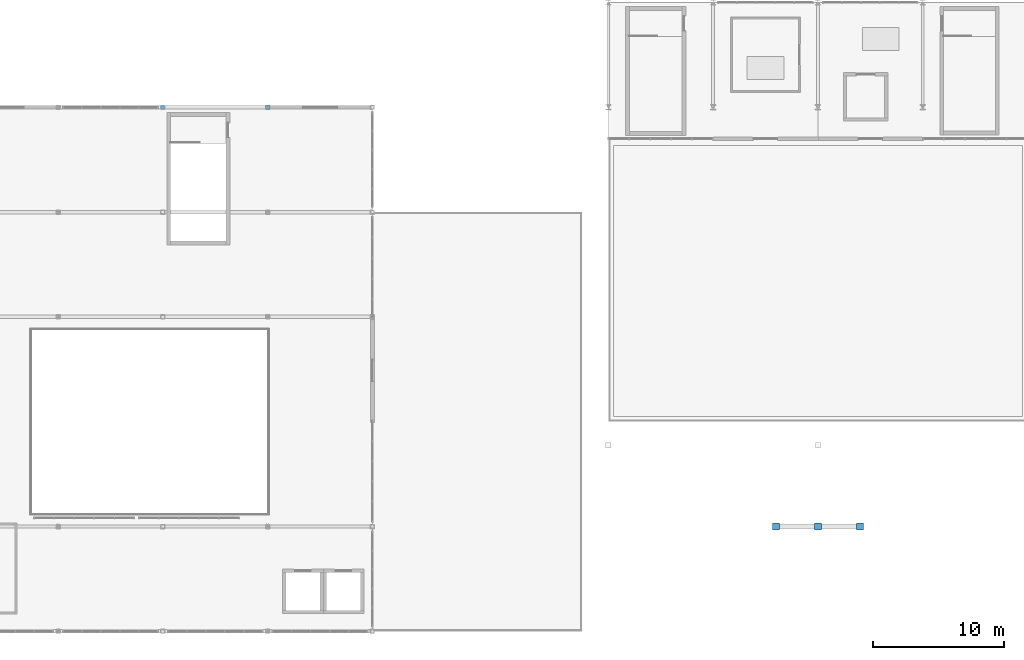
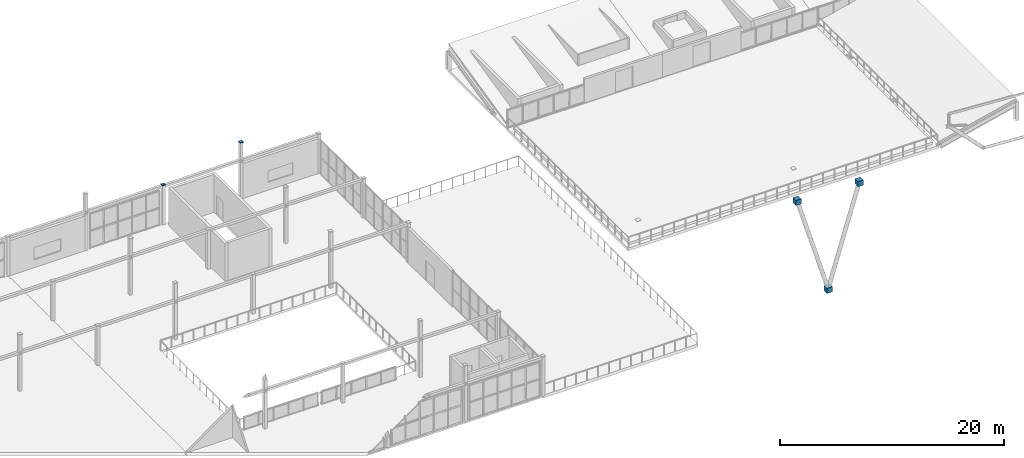
# One storey, part 70 of 83: 5 discrete accessories.
"""IFC4 building model written with IfcOpenShell, lengths in metres."""

from ifc_helpers import new_model, si_unit, direction, frame, origin, origin_2d, place, context, subcontext, project, spatial, rectangle, extrude, material, type_object, element, save


model = new_model("IFC4")

# Units and contexts
model_context = context("Model", 3, precision=1e-05, world=origin(), true_north=direction((0.0, 1.0)))
body_context = subcontext(model_context, "Body", "Model", "MODEL_VIEW")
ifc_project = project(units=[si_unit("LENGTHUNIT", "METRE"), si_unit("AREAUNIT", "SQUARE_METRE"), si_unit("VOLUMEUNIT", "CUBIC_METRE"), si_unit("PLANEANGLEUNIT", "RADIAN"), si_unit("MASSUNIT", "GRAM", prefix="KILO")], contexts=[model_context])

# Site, building, storey
site_placement = place(None, origin())
site = spatial("IfcSite", under=ifc_project, at=site_placement, CompositionType="ELEMENT")
building_placement = place(site_placement, origin())
building = spatial("IfcBuilding", under=site, at=building_placement, Name="Drelvath Fold Interchange", CompositionType="ELEMENT")
storey_placement = place(building_placement, frame((0.0, 0.0, 11.199951171875)))
storey = spatial("IfcBuildingStorey", under=building, at=storey_placement, Name="L02", CompositionType="ELEMENT", Elevation=11.199951171875)

# Discrete accessories
ifc_material = material(Name="Steel ASTM A572 Grade 50", Category="steel")
discrete_accessory_type = type_object("IfcDiscreteAccessoryType", Name="AC-CAP380", PredefinedType="BRACKET", material=ifc_material)
for number, where, z_axis, x_axis, name in (
    (1, (68.0, 99.0, 4.2900390625), (0.0, 0.0, 1.0), (1.0, 0.0, 0.0), "Welded hollow column end cap 81"),
    (2, (76.0, 99.0, 6.14013671875), (0.0, 0.0, 1.0), (1.0, 0.0, 0.0), "Welded hollow column end cap 86"),
):
    element("IfcDiscreteAccessory", number, at=place(storey_placement, frame(where, z_axis=z_axis, x_axis=x_axis)), inside=storey, type_object=discrete_accessory_type, Name=name, PredefinedType="BRACKET", context=body_context, shape_type="SweptSolid", body=[
        extrude(rectangle(XDim=0.344970703125, YDim=0.344970703125, at=origin_2d()), origin(), (0.0, 0.0, 1.0), 0.030029296875),
    ])
for number, where, z_axis, x_axis, name in (
    (3, (118.0009765625, 67.0, -5.427978515625), (0.0, 0.0, 1.0), (1.0, 0.0, 0.0), "Welded hollow member end cap 563"),
    (4, (114.799072265625, 67.0, 5.26904296875), (0.0, 0.0, 1.0), (1.0, 0.0, 0.0), "Welded hollow member end cap 564"),
    (5, (121.200927734375, 67.0, 5.0771484375), (0.0, 0.0, 1.0), (1.0, 0.0, 0.0), "Welded hollow member end cap 565"),
):
    element("IfcDiscreteAccessory", number, at=place(storey_placement, frame(where, z_axis=z_axis, x_axis=x_axis)), inside=storey, type_object=discrete_accessory_type, Name=name, PredefinedType="BRACKET", context=body_context, shape_type="SweptSolid", body=[
        extrude(rectangle(XDim=0.5458984375, YDim=0.5458984375, at=origin_2d()), origin(), (0.0, 0.0, 1.0), 0.5458984375),
    ])

save(model, "model.ifc")
